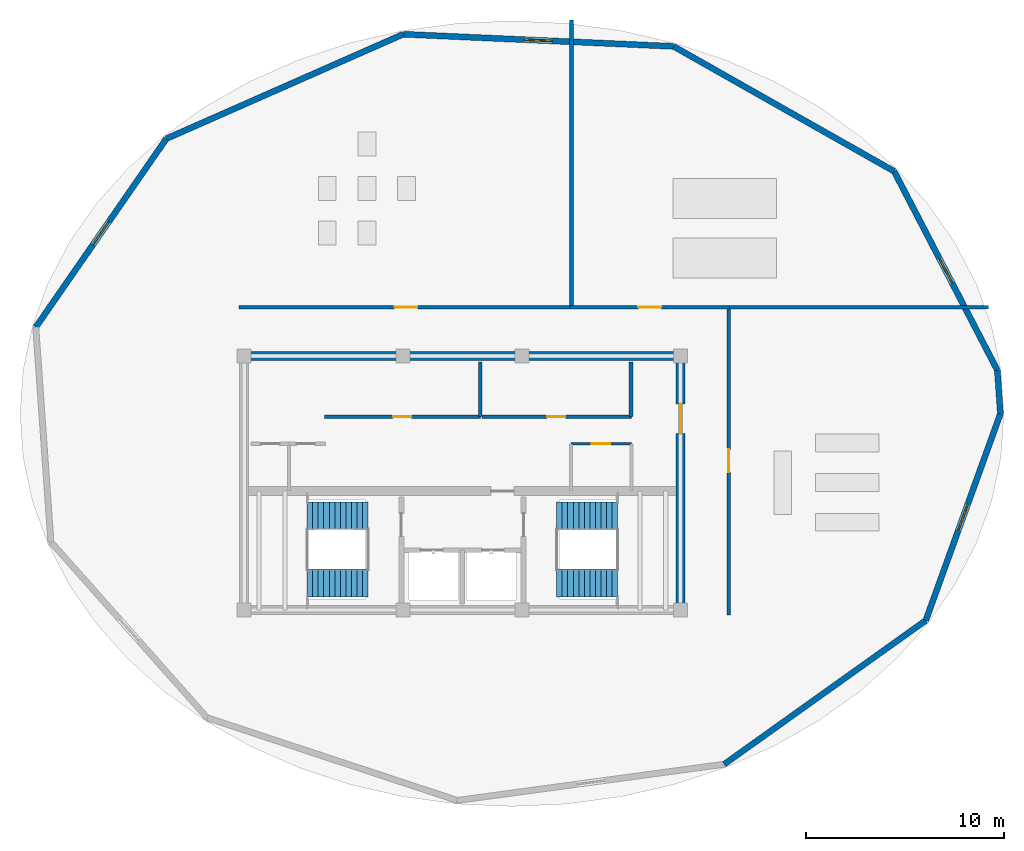
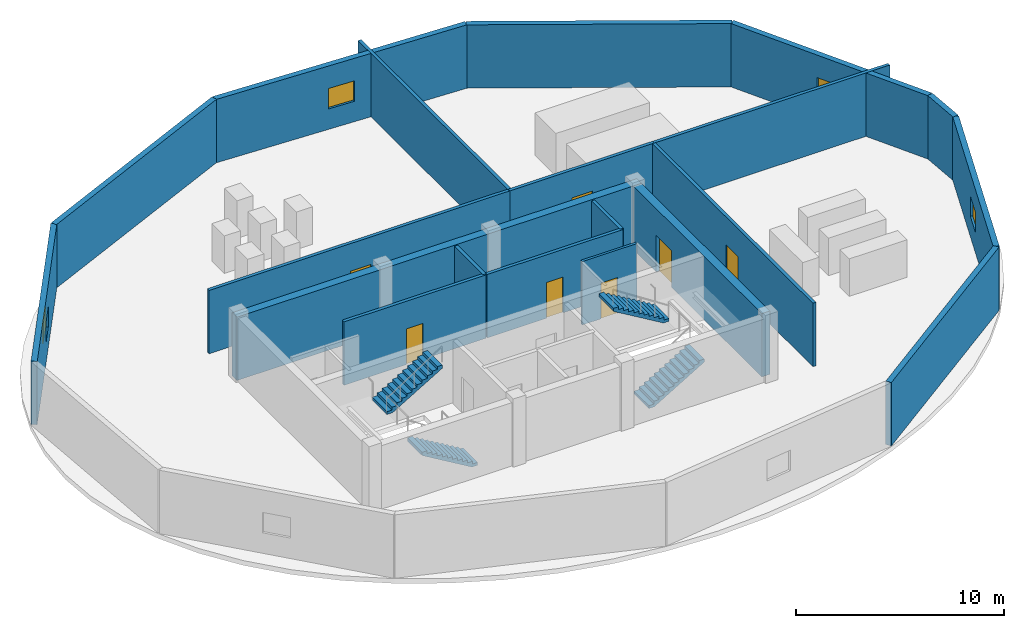
# One storey, part 2 of 5: 20 walls, 7 doors, 4 stair flights, 4 windows, 11 openings, 2 elements without a shape of their own.
"""IFC4 building model written with IfcOpenShell, lengths in metres."""

from ifc_helpers import new_model, si_unit, direction, frame, frame_2d, origin, place, context, subcontext, project, spatial, polyline, rectangle, outline, extrude, material, layer, layer_set, type_object, element, fill, aggregate, save


model = new_model("IFC4")

# Units and contexts
model_context = context("Model", 3, precision=1e-05, world=origin(), true_north=direction((0.0, 1.0)))
body_context = subcontext(model_context, "Body", "Model", "MODEL_VIEW")
ifc_project = project(units=[si_unit("LENGTHUNIT", "METRE"), si_unit("AREAUNIT", "SQUARE_METRE"), si_unit("VOLUMEUNIT", "CUBIC_METRE"), si_unit("PLANEANGLEUNIT", "RADIAN"), si_unit("MASSUNIT", "GRAM", prefix="KILO")], contexts=[model_context])

# Site, building, storey
site_placement = place(None, origin())
site = spatial("IfcSite", under=ifc_project, at=site_placement, CompositionType="ELEMENT")
building_placement = place(site_placement, origin())
building = spatial("IfcBuilding", under=site, at=building_placement, Name="Kazevale Care Tower and Concert Hall", CompositionType="ELEMENT")
storey_placement = place(building_placement, frame((0.0, 0.0, 304.800048828125)))
storey = spatial("IfcBuildingStorey", under=building, at=storey_placement, Name="L80", CompositionType="ELEMENT", Elevation=304.800048828125)

# Wall, opening, door
ifc_material_1 = material(Name="Acoustic Gypsum on Steel Stud", Category="steel")
ifc_layer_1 = layer(ifc_material_1, 0.139892578125)
ifc_layer_set_1 = layer_set([ifc_layer_1], Name="Acoustic Gypsum on Steel Stud")
wall_type_1 = type_object("IfcWallType", Name="Acoustic Care & Suite Partition 140", PredefinedType="PARTITIONING", material=ifc_layer_set_1)
wall_1_placement = place(storey_placement, frame((38.47998046875, 31.97998046875, 0.0), z_axis=(0.0, 0.0, 1.0), x_axis=(1.0, 0.0, 0.0)))
wall_1 = element("IfcWall", 1, at=wall_1_placement, inside=storey, type_object=wall_type_1, Name="wall:L80:kb_en", PredefinedType="PARTITIONING", context=body_context, shape_type="SweptSolid", body=[
    extrude(rectangle(XDim=3.0400390625, YDim=0.139892578125, at=frame_2d((1.52001953125, 0.0))), origin(), (0.0, 0.0, 1.0), 3.719970703125),
])
opening_1_placement = place(wall_1_placement, frame((1.044921875, 0.0, 0.0)))
opening_1 = element("IfcOpeningElement", 2, at=opening_1_placement, cuts=wall_1, Name="Opening ID-900", PredefinedType="OPENING", context=body_context, shape_type="SweptSolid", body=[
    extrude(rectangle(XDim=0.919921875, YDim=2.10009765625, at=frame_2d((0.4599609375, 1.050048828125))), frame((0.0, 0.079833984375, 0.0), z_axis=(0.0, -1.0, 0.0), x_axis=(1.0, 0.0, 0.0)), (0.0, 0.0, 1.0), 0.159912109375),
])
ifc_material_2 = material(Name="Oak Timber Fire Leaf", Category="wood")
door_type_1 = type_object("IfcDoorType", Name="Bathroom & Service Door 920x2100", OperationType="NOTDEFINED", PredefinedType="DOOR", material=ifc_material_2)
door_1_placement = place(opening_1_placement, origin())
door_1 = element("IfcDoor", 3, at=door_1_placement, inside=storey, type_object=door_type_1, Name="door:L80:d_kbe", OperationType="SINGLE_SWING_LEFT", OverallHeight=2.10009765625, OverallWidth=0.919921875, PredefinedType="DOOR", context=body_context, shape_type="SweptSolid", body=[
    extrude(rectangle(XDim=0.919921875, YDim=2.10009765625, at=frame_2d((0.4599609375, 1.050048828125))), frame((0.0, 0.02490234375, 0.0), z_axis=(0.0, -1.0, 0.0), x_axis=(1.0, 0.0, 0.0)), (0.0, 0.0, 1.0), 0.050048828125),
])
fill(opening_1, door_1)

# Wall
ifc_material_3 = material(Name="Concrete C50", Category="concrete")
ifc_layer_2 = layer(ifc_material_3, 0.449951171875)
ifc_layer_set_2 = layer_set([ifc_layer_2], Name="Concrete C50")
wall_type_2 = type_object("IfcWallType", Name="Core Shear Wall 450 C50", PredefinedType="SHEAR", material=ifc_layer_set_2)
wall_2_placement = place(storey_placement, frame((21.77490234375, 36.39990234375, 0.0), z_axis=(0.0, 0.0, 1.0), x_axis=(1.0, 0.0, 0.0)))
element("IfcWall", 4, at=wall_2_placement, inside=storey, type_object=wall_type_2, Name="wall:L80:core:N", PredefinedType="SHEAR", context=body_context, shape_type="SweptSolid", body=[
    extrude(rectangle(XDim=22.4501953125, YDim=0.449951171875, at=frame_2d((11.22509765625, 0.0))), origin(), (0.0, 0.0, 1.0), 3.719970703125),
])

# Wall, opening, door
wall_3_placement = place(storey_placement, frame((44.0, 23.824951171875, 0.0), z_axis=(0.0, 0.0, 1.0), x_axis=(0.0, 1.0, 0.0)))
wall_3 = element("IfcWall", 5, at=wall_3_placement, inside=storey, type_object=wall_type_2, Name="wall:L80:core:E", PredefinedType="SHEAR", context=body_context, shape_type="SweptSolid", body=[
    extrude(rectangle(XDim=12.35009765625, YDim=0.449951171875, at=frame_2d((6.175048828125, 0.0))), origin(), (0.0, 0.0, 1.0), 3.719970703125),
])
opening_2_placement = place(wall_3_placement, frame((8.675048828125, 0.0, 0.0)))
opening_2 = element("IfcOpeningElement", 6, at=opening_2_placement, cuts=wall_3, Name="Opening FD-60D", PredefinedType="OPENING", context=body_context, shape_type="SweptSolid", body=[
    extrude(rectangle(XDim=1.5, YDim=2.14990234375, at=frame_2d((0.75, 1.074951171875))), frame((0.0, 0.23486328125, 0.0), z_axis=(0.0, -1.0, 0.0), x_axis=(1.0, 0.0, 0.0)), (0.0, 0.0, 1.0), 0.469970703125),
])
door_type_2 = type_object("IfcDoorType", Name="Double Lobby & Auditorium Fire Door 1500x2150", OperationType="NOTDEFINED", PredefinedType="DOOR", material=ifc_material_2)
door_2_placement = place(opening_2_placement, origin())
door_2 = element("IfcDoor", 7, at=door_2_placement, inside=storey, type_object=door_type_2, Name="door:L80:core_east_out", OperationType="DOUBLE_DOOR_SINGLE_SWING", OverallHeight=2.14990234375, OverallWidth=1.5, PredefinedType="DOOR", context=body_context, shape_type="SweptSolid", body=[
    extrude(rectangle(XDim=1.5, YDim=2.14990234375, at=frame_2d((0.75, 1.074951171875))), frame((0.0, 0.02490234375, 0.0), z_axis=(0.0, -1.0, 0.0), x_axis=(1.0, 0.0, 0.0)), (0.0, 0.0, 1.0), 0.050048828125),
])
fill(opening_2, door_2)

# Wall, opening, window
ifc_material_4 = material(Name="Concrete C40 with Honed Limestone Cladding", Category="masonry")
ifc_layer_3 = layer(ifc_material_4, 0.300048828125)
ifc_layer_set_3 = layer_set([ifc_layer_3], Name="Concrete C40 with Honed Limestone Cladding")
wall_type_3 = type_object("IfcWallType", Name="Crown Drum Louvred Stone Wall 300", PredefinedType="STANDARD", material=ifc_layer_set_3)
wall_4_placement = place(storey_placement, frame((60.1201171875, 33.5, 0.0), z_axis=(0.0, 0.0, 1.0), x_axis=(-0.339587618367, -0.940574425259, 0.0)))
wall_4 = element("IfcWall", 8, at=wall_4_placement, inside=storey, type_object=wall_type_3, Name="wall:L80:drum:01", PredefinedType="STANDARD", context=body_context, shape_type="SweptSolid", body=[
    extrude(rectangle(XDim=11.08154296875, YDim=0.300048828125, at=frame_2d((5.540771484375, 0.0))), origin(), (0.0, 0.0, 1.0), 3.719970703125),
])
opening_3_placement = place(wall_4_placement, frame((4.841064453125, 0.0, 1.199951171875)))
opening_3 = element("IfcOpeningElement", 9, at=opening_3_placement, cuts=wall_4, Name="Opening WIN-4", PredefinedType="OPENING", context=body_context, shape_type="SweptSolid", body=[
    extrude(rectangle(XDim=1.39990234375, YDim=1.199951171875, at=frame_2d((0.699951171875, 0.60009765625))), frame((0.0, 0.159912109375, 0.0), z_axis=(0.0, -1.0, 0.0), x_axis=(1.0, 0.0, 0.0)), (0.0, 0.0, 1.0), 0.320068359375),
])
ifc_material_5 = material(Name="Aluminium 6063-T6", Category="aluminium")
window_type = type_object("IfcWindowType", Name="Crown Plant Louvred Window 1400x1200", PartitioningType="SINGLE_PANEL", PredefinedType="WINDOW", material=ifc_material_5)
window_1_placement = place(opening_3_placement, origin())
window_1 = element("IfcWindow", 10, at=window_1_placement, inside=storey, type_object=window_type, Name="win:L80:drum:01", OverallHeight=1.199951171875, OverallWidth=1.39990234375, PartitioningType="SINGLE_PANEL", PredefinedType="WINDOW", context=body_context, shape_type="SweptSolid", body=[
    extrude(rectangle(XDim=1.39990234375, YDim=1.199951171875, at=frame_2d((0.699951171875, 0.60009765625))), frame((0.0, 0.030029296875, 0.0), z_axis=(0.0, -1.0, 0.0), x_axis=(1.0, 0.0, 0.0)), (0.0, 0.0, 1.0), 0.06005859375),
])
fill(opening_3, window_1)

# Wall
wall_5_placement = place(storey_placement, frame((56.35693359375, 23.076904296875, 0.0), z_axis=(0.0, 0.0, 1.0), x_axis=(-0.814111303181, -0.580708865123, 0.0)))
element("IfcWall", 11, at=wall_5_placement, inside=storey, type_object=wall_type_3, Name="wall:L80:drum:02", PredefinedType="STANDARD", context=body_context, shape_type="SweptSolid", body=[
    extrude(rectangle(XDim=12.48095703125, YDim=0.300048828125, at=frame_2d((6.240478515625, 0.0))), origin(), (0.0, 0.0, 1.0), 3.719970703125),
])

# Wall, opening, window
wall_6_placement = place(storey_placement, frame((11.4951171875, 37.85595703125, 0.0), z_axis=(0.0, 0.0, 1.0), x_axis=(0.569269280193, 0.822151133691, 0.0)))
wall_6 = element("IfcWall", 12, at=wall_6_placement, inside=storey, type_object=wall_type_3, Name="wall:L80:drum:07", PredefinedType="STANDARD", context=body_context, shape_type="SweptSolid", body=[
    extrude(rectangle(XDim=11.56005859375, YDim=0.300048828125, at=frame_2d((5.780029296875, 0.0))), origin(), (0.0, 0.0, 1.0), 3.719970703125),
])
opening_4_placement = place(wall_6_placement, frame((5.080078125, 0.0, 1.199951171875)))
opening_4 = element("IfcOpeningElement", 13, at=opening_4_placement, cuts=wall_6, Name="Opening WIN-4", PredefinedType="OPENING", context=body_context, shape_type="SweptSolid", body=[
    extrude(rectangle(XDim=1.39990234375, YDim=1.199951171875, at=frame_2d((0.699951171875, 0.60009765625))), frame((0.0, 0.159912109375, 0.0), z_axis=(0.0, -1.0, 0.0), x_axis=(1.0, 0.0, 0.0)), (0.0, 0.0, 1.0), 0.320068359375),
])
window_2_placement = place(opening_4_placement, origin())
window_2 = element("IfcWindow", 14, at=window_2_placement, inside=storey, type_object=window_type, Name="win:L80:drum:07", OverallHeight=1.199951171875, OverallWidth=1.39990234375, PartitioningType="SINGLE_PANEL", PredefinedType="WINDOW", context=body_context, shape_type="SweptSolid", body=[
    extrude(rectangle(XDim=1.39990234375, YDim=1.199951171875, at=frame_2d((0.699951171875, 0.60009765625))), frame((0.0, 0.030029296875, 0.0), z_axis=(0.0, -1.0, 0.0), x_axis=(1.0, 0.0, 0.0)), (0.0, 0.0, 1.0), 0.06005859375),
])
fill(opening_4, window_2)

# Wall
wall_7_placement = place(storey_placement, frame((18.075927734375, 47.360107421875, 0.0), z_axis=(0.0, 0.0, 1.0), x_axis=(0.914943001047, 0.40358308294, 0.0)))
element("IfcWall", 15, at=wall_7_placement, inside=storey, type_object=wall_type_3, Name="wall:L80:drum:08", PredefinedType="STANDARD", context=body_context, shape_type="SweptSolid", body=[
    extrude(rectangle(XDim=13.0478515625, YDim=0.300048828125, at=frame_2d((6.52392578125, 0.0))), origin(), (0.0, 0.0, 1.0), 3.719970703125),
])

# Wall, opening, window
wall_8_placement = place(storey_placement, frame((30.013916015625, 52.6259765625, 0.0), z_axis=(0.0, 0.0, 1.0), x_axis=(0.998996211569, -0.04479474602, 0.0)))
wall_8 = element("IfcWall", 16, at=wall_8_placement, inside=storey, type_object=wall_type_3, Name="wall:L80:drum:09", PredefinedType="STANDARD", context=body_context, shape_type="SweptSolid", body=[
    extrude(rectangle(XDim=13.641845703125, YDim=0.300048828125, at=frame_2d((6.82080078125, 0.0))), origin(), (0.0, 0.0, 1.0), 3.719970703125),
])
opening_5_placement = place(wall_8_placement, frame((6.12109375, 0.0, 1.199951171875)))
opening_5 = element("IfcOpeningElement", 17, at=opening_5_placement, cuts=wall_8, Name="Opening WIN-4", PredefinedType="OPENING", context=body_context, shape_type="SweptSolid", body=[
    extrude(rectangle(XDim=1.39990234375, YDim=1.199951171875, at=frame_2d((0.699951171875, 0.60009765625))), frame((0.0, 0.159912109375, 0.0), z_axis=(0.0, -1.0, 0.0), x_axis=(1.0, 0.0, 0.0)), (0.0, 0.0, 1.0), 0.320068359375),
])
window_3_placement = place(opening_5_placement, origin())
window_3 = element("IfcWindow", 18, at=window_3_placement, inside=storey, type_object=window_type, Name="win:L80:drum:09", OverallHeight=1.199951171875, OverallWidth=1.39990234375, PartitioningType="SINGLE_PANEL", PredefinedType="WINDOW", context=body_context, shape_type="SweptSolid", body=[
    extrude(rectangle(XDim=1.39990234375, YDim=1.199951171875, at=frame_2d((0.699951171875, 0.60009765625))), frame((0.0, 0.030029296875, 0.0), z_axis=(0.0, -1.0, 0.0), x_axis=(1.0, 0.0, 0.0)), (0.0, 0.0, 1.0), 0.06005859375),
])
fill(opening_5, window_3)

# Wall
wall_9_placement = place(storey_placement, frame((43.64208984375, 52.014892578125, 0.0), z_axis=(0.0, 0.0, 1.0), x_axis=(0.870169378253, -0.492752730232, 0.0)))
element("IfcWall", 19, at=wall_9_placement, inside=storey, type_object=wall_type_3, Name="wall:L80:drum:10", PredefinedType="STANDARD", context=body_context, shape_type="SweptSolid", body=[
    extrude(rectangle(XDim=12.779052734375, YDim=0.300048828125, at=frame_2d((6.3896484375, 0.0))), origin(), (0.0, 0.0, 1.0), 3.719970703125),
])

# Wall, opening, window
wall_10_placement = place(storey_placement, frame((54.761962890625, 45.718017578125, 0.0), z_axis=(0.0, 0.0, 1.0), x_axis=(0.460623742834, -0.8875954977, 0.0)))
wall_10 = element("IfcWall", 20, at=wall_10_placement, inside=storey, type_object=wall_type_3, Name="wall:L80:drum:11", PredefinedType="STANDARD", context=body_context, shape_type="SweptSolid", body=[
    extrude(rectangle(XDim=11.2958984375, YDim=0.300048828125, at=frame_2d((5.64794921875, 0.0))), origin(), (0.0, 0.0, 1.0), 3.719970703125),
])
opening_6_placement = place(wall_10_placement, frame((4.947998046875, 0.0, 1.199951171875)))
opening_6 = element("IfcOpeningElement", 21, at=opening_6_placement, cuts=wall_10, Name="Opening WIN-4", PredefinedType="OPENING", context=body_context, shape_type="SweptSolid", body=[
    extrude(rectangle(XDim=1.39990234375, YDim=1.199951171875, at=frame_2d((0.699951171875, 0.60009765625))), frame((0.0, 0.159912109375, 0.0), z_axis=(0.0, -1.0, 0.0), x_axis=(1.0, 0.0, 0.0)), (0.0, 0.0, 1.0), 0.320068359375),
])
window_4_placement = place(opening_6_placement, origin())
window_4 = element("IfcWindow", 22, at=window_4_placement, inside=storey, type_object=window_type, Name="win:L80:drum:11", OverallHeight=1.199951171875, OverallWidth=1.39990234375, PartitioningType="SINGLE_PANEL", PredefinedType="WINDOW", context=body_context, shape_type="SweptSolid", body=[
    extrude(rectangle(XDim=1.39990234375, YDim=1.199951171875, at=frame_2d((0.699951171875, 0.60009765625))), frame((0.0, 0.030029296875, 0.0), z_axis=(0.0, -1.0, 0.0), x_axis=(1.0, 0.0, 0.0)), (0.0, 0.0, 1.0), 0.06005859375),
])
fill(opening_6, window_4)

# Wall
wall_11_placement = place(storey_placement, frame((59.965087890625, 35.69189453125, 0.0), z_axis=(0.0, 0.0, 1.0), x_axis=(0.070552198309, -0.997508088846, 0.0)))
element("IfcWall", 23, at=wall_11_placement, inside=storey, type_object=wall_type_3, Name="wall:L80:drum:12", PredefinedType="STANDARD", context=body_context, shape_type="SweptSolid", body=[
    extrude(rectangle(XDim=2.197265625, YDim=0.300048828125, at=frame_2d((1.0986328125, 0.0))), origin(), (0.0, 0.0, 1.0), 3.719970703125),
])

# Wall, opening, door
ifc_material_6 = material(Name="Concrete C40 and Acoustic Gypsum", Category="concrete")
ifc_layer_4 = layer(ifc_material_6, 0.179931640625)
ifc_layer_set_4 = layer_set([ifc_layer_4], Name="Concrete C40 and Acoustic Gypsum")
wall_type_4 = type_object("IfcWallType", Name="Fire-Rated Corridor & Party Wall 180", PredefinedType="PARTITIONING", material=ifc_layer_set_4)
wall_12_placement = place(storey_placement, frame((26.050048828125, 33.35009765625, 0.0), z_axis=(0.0, 0.0, 1.0), x_axis=(1.0, 0.0, 0.0)))
wall_12 = element("IfcWall", 24, at=wall_12_placement, inside=storey, type_object=wall_type_4, Name="wall:L80:c_cps_s", PredefinedType="PARTITIONING", context=body_context, shape_type="SweptSolid", body=[
    extrude(rectangle(XDim=7.869873046875, YDim=0.179931640625, at=frame_2d((3.93505859375, 0.0))), origin(), (0.0, 0.0, 1.0), 3.719970703125),
])
opening_7_placement = place(wall_12_placement, frame((3.4599609375, 0.0, 0.0)))
opening_7 = element("IfcOpeningElement", 25, at=opening_7_placement, cuts=wall_12, Name="Opening ID-900", PredefinedType="OPENING", context=body_context, shape_type="SweptSolid", body=[
    extrude(rectangle(XDim=0.919921875, YDim=2.10009765625, at=frame_2d((0.4599609375, 1.050048828125))), frame((0.0, 0.099853515625, 0.0), z_axis=(0.0, -1.0, 0.0), x_axis=(1.0, 0.0, 0.0)), (0.0, 0.0, 1.0), 0.199951171875),
])
door_3_placement = place(opening_7_placement, origin())
door_3 = element("IfcDoor", 26, at=door_3_placement, inside=storey, type_object=door_type_1, Name="door:L80:d_cps", OperationType="SINGLE_SWING_LEFT", OverallHeight=2.10009765625, OverallWidth=0.919921875, PredefinedType="DOOR", context=body_context, shape_type="SweptSolid", body=[
    extrude(rectangle(XDim=0.919921875, YDim=2.10009765625, at=frame_2d((0.4599609375, 1.050048828125))), frame((0.0, 0.02490234375, 0.0), z_axis=(0.0, -1.0, 0.0), x_axis=(1.0, 0.0, 0.0)), (0.0, 0.0, 1.0), 0.050048828125),
])
fill(opening_7, door_3)

# Wall
wall_13_placement = place(storey_placement, frame((33.89990234375, 33.35009765625, 0.0), z_axis=(0.0, 0.0, 1.0), x_axis=(0.0, 1.0, 0.0)))
element("IfcWall", 27, at=wall_13_placement, inside=storey, type_object=wall_type_4, Name="wall:L80:c_cps_e", PredefinedType="PARTITIONING", context=body_context, shape_type="SweptSolid", body=[
    extrude(rectangle(XDim=2.75, YDim=0.179931640625, at=frame_2d((1.375, 0.0))), origin(), (0.0, 0.0, 1.0), 3.719970703125),
])

# Wall, opening, door
wall_14_placement = place(storey_placement, frame((33.97998046875, 33.35009765625, 0.0), z_axis=(0.0, 0.0, 1.0), x_axis=(1.0, 0.0, 0.0)))
wall_14 = element("IfcWall", 28, at=wall_14_placement, inside=storey, type_object=wall_type_4, Name="wall:L80:c_pma_s", PredefinedType="PARTITIONING", context=body_context, shape_type="SweptSolid", body=[
    extrude(rectangle(XDim=7.5400390625, YDim=0.179931640625, at=frame_2d((3.77001953125, 0.0))), origin(), (0.0, 0.0, 1.0), 3.719970703125),
])
opening_8_placement = place(wall_14_placement, frame((3.294921875, 0.0, 0.0)))
opening_8 = element("IfcOpeningElement", 29, at=opening_8_placement, cuts=wall_14, Name="Opening ID-900", PredefinedType="OPENING", context=body_context, shape_type="SweptSolid", body=[
    extrude(rectangle(XDim=0.919921875, YDim=2.10009765625, at=frame_2d((0.4599609375, 1.050048828125))), frame((0.0, 0.099853515625, 0.0), z_axis=(0.0, -1.0, 0.0), x_axis=(1.0, 0.0, 0.0)), (0.0, 0.0, 1.0), 0.199951171875),
])
door_4_placement = place(opening_8_placement, origin())
door_4 = element("IfcDoor", 30, at=door_4_placement, inside=storey, type_object=door_type_1, Name="door:L80:d_pma", OperationType="SINGLE_SWING_LEFT", OverallHeight=2.10009765625, OverallWidth=0.919921875, PredefinedType="DOOR", context=body_context, shape_type="SweptSolid", body=[
    extrude(rectangle(XDim=0.919921875, YDim=2.10009765625, at=frame_2d((0.4599609375, 1.050048828125))), frame((0.0, 0.02490234375, 0.0), z_axis=(0.0, -1.0, 0.0), x_axis=(1.0, 0.0, 0.0)), (0.0, 0.0, 1.0), 0.050048828125),
])
fill(opening_8, door_4)

# Wall
wall_15_placement = place(storey_placement, frame((41.5, 33.35009765625, 0.0), z_axis=(0.0, 0.0, 1.0), x_axis=(0.0, 1.0, 0.0)))
element("IfcWall", 31, at=wall_15_placement, inside=storey, type_object=wall_type_4, Name="wall:L80:c_pma_e", PredefinedType="PARTITIONING", context=body_context, shape_type="SweptSolid", body=[
    extrude(rectangle(XDim=2.75, YDim=0.179931640625, at=frame_2d((1.375, 0.0))), origin(), (0.0, 0.0, 1.0), 3.719970703125),
])

# Wall, opening, door
wall_16_placement = place(storey_placement, frame((21.7451171875, 38.875, 0.0), z_axis=(0.0, 0.0, 1.0), x_axis=(1.0, 0.0, 0.0)))
wall_16 = element("IfcWall", 32, at=wall_16_placement, inside=storey, type_object=wall_type_4, Name="wall:L80:auto_001", PredefinedType="PARTITIONING", context=body_context, shape_type="SweptSolid", body=[
    extrude(rectangle(XDim=16.81982421875, YDim=0.179931640625, at=frame_2d((8.409912109375, 0.0))), origin(), (0.0, 0.0, 1.0), 3.719970703125),
])
opening_9_placement = place(wall_16_placement, frame((7.8349609375, 0.0, 0.0)))
opening_9 = element("IfcOpeningElement", 33, at=opening_9_placement, cuts=wall_16, Name="Opening FD-90", PredefinedType="OPENING", context=body_context, shape_type="SweptSolid", body=[
    extrude(rectangle(XDim=1.14990234375, YDim=2.10009765625, at=frame_2d((0.574951171875, 1.050048828125))), frame((0.0, 0.099853515625, 0.0), z_axis=(0.0, -1.0, 0.0), x_axis=(1.0, 0.0, 0.0)), (0.0, 0.0, 1.0), 0.199951171875),
])
ifc_material_7 = material(Name="Steel ASTM A572 Gr 50", Category="steel")
door_type_3 = type_object("IfcDoorType", Name="Pressurized Stair & Lobby Fire Door 1150x2100", OperationType="NOTDEFINED", PredefinedType="DOOR", material=ifc_material_7)
door_5_placement = place(opening_9_placement, origin())
door_5 = element("IfcDoor", 34, at=door_5_placement, inside=storey, type_object=door_type_3, Name="door:L80:ad_001", OperationType="SINGLE_SWING_LEFT", OverallHeight=2.10009765625, OverallWidth=1.14990234375, PredefinedType="DOOR", context=body_context, shape_type="SweptSolid", body=[
    extrude(rectangle(XDim=1.14990234375, YDim=2.10009765625, at=frame_2d((0.574951171875, 1.050048828125))), frame((0.0, 0.02490234375, 0.0), z_axis=(0.0, -1.0, 0.0), x_axis=(1.0, 0.0, 0.0)), (0.0, 0.0, 1.0), 0.050048828125),
])
fill(opening_9, door_5)

wall_17_placement = place(storey_placement, frame((38.43505859375, 38.875, 0.0), z_axis=(0.0, 0.0, 1.0), x_axis=(1.0, 0.0, 0.0)))
wall_17 = element("IfcWall", 35, at=wall_17_placement, inside=storey, type_object=wall_type_4, Name="wall:L80:auto_002", PredefinedType="PARTITIONING", context=body_context, shape_type="SweptSolid", body=[
    extrude(rectangle(XDim=8.02001953125, YDim=0.179931640625, at=frame_2d((4.010009765625, 0.0))), origin(), (0.0, 0.0, 1.0), 3.719970703125),
])
opening_10_placement = place(wall_17_placement, frame((3.43505859375, 0.0, 0.0)))
opening_10 = element("IfcOpeningElement", 36, at=opening_10_placement, cuts=wall_17, Name="Opening FD-90", PredefinedType="OPENING", context=body_context, shape_type="SweptSolid", body=[
    extrude(rectangle(XDim=1.14990234375, YDim=2.10009765625, at=frame_2d((0.574951171875, 1.050048828125))), frame((0.0, 0.099853515625, 0.0), z_axis=(0.0, -1.0, 0.0), x_axis=(1.0, 0.0, 0.0)), (0.0, 0.0, 1.0), 0.199951171875),
])
door_6_placement = place(opening_10_placement, origin())
door_6 = element("IfcDoor", 37, at=door_6_placement, inside=storey, type_object=door_type_3, Name="door:L80:ad_002", OperationType="SINGLE_SWING_LEFT", OverallHeight=2.10009765625, OverallWidth=1.14990234375, PredefinedType="DOOR", context=body_context, shape_type="SweptSolid", body=[
    extrude(rectangle(XDim=1.14990234375, YDim=2.10009765625, at=frame_2d((0.574951171875, 1.050048828125))), frame((0.0, 0.02490234375, 0.0), z_axis=(0.0, -1.0, 0.0), x_axis=(1.0, 0.0, 0.0)), (0.0, 0.0, 1.0), 0.050048828125),
])
fill(opening_10, door_6)

wall_18_placement = place(storey_placement, frame((46.425048828125, 38.905029296875, 0.0), z_axis=(0.0, 0.0, 1.0), x_axis=(0.0, -1.0, 0.0)))
wall_18 = element("IfcWall", 38, at=wall_18_placement, inside=storey, type_object=wall_type_4, Name="wall:L80:auto_003", PredefinedType="PARTITIONING", context=body_context, shape_type="SweptSolid", body=[
    extrude(rectangle(XDim=15.56005859375, YDim=0.179931640625, at=frame_2d((7.780029296875, 0.0))), origin(), (0.0, 0.0, 1.0), 3.719970703125),
])
opening_11_placement = place(wall_18_placement, frame((7.205078125, 0.0, 0.0)))
opening_11 = element("IfcOpeningElement", 39, at=opening_11_placement, cuts=wall_18, Name="Opening FD-90", PredefinedType="OPENING", context=body_context, shape_type="SweptSolid", body=[
    extrude(rectangle(XDim=1.14990234375, YDim=2.10009765625, at=frame_2d((0.574951171875, 1.050048828125))), frame((0.0, 0.099853515625, 0.0), z_axis=(0.0, -1.0, 0.0), x_axis=(1.0, 0.0, 0.0)), (0.0, 0.0, 1.0), 0.199951171875),
])
door_7_placement = place(opening_11_placement, origin())
door_7 = element("IfcDoor", 40, at=door_7_placement, inside=storey, type_object=door_type_3, Name="door:L80:ad_003", OperationType="SINGLE_SWING_LEFT", OverallHeight=2.10009765625, OverallWidth=1.14990234375, PredefinedType="DOOR", context=body_context, shape_type="SweptSolid", body=[
    extrude(rectangle(XDim=1.14990234375, YDim=2.10009765625, at=frame_2d((0.574951171875, 1.050048828125))), frame((0.0, 0.02490234375, 0.0), z_axis=(0.0, -1.0, 0.0), x_axis=(1.0, 0.0, 0.0)), (0.0, 0.0, 1.0), 0.050048828125),
])
fill(opening_11, door_7)

# Walls
wall_19_placement = place(storey_placement, frame((38.5, 53.343994140625, 0.0), z_axis=(0.0, 0.0, 1.0), x_axis=(0.0, -1.0, 0.0)))
element("IfcWall", 41, at=wall_19_placement, inside=storey, type_object=wall_type_4, Name="wall:L80:auto_004", PredefinedType="PARTITIONING", context=body_context, shape_type="SweptSolid", body=[
    extrude(rectangle(XDim=14.4990234375, YDim=0.179931640625, at=frame_2d((7.24951171875, 0.0))), origin(), (0.0, 0.0, 1.0), 3.719970703125),
])
wall_20_placement = place(storey_placement, frame((59.51708984375, 38.875, 0.0), z_axis=(0.0, 0.0, 1.0), x_axis=(-1.0, 0.0, 0.0)))
element("IfcWall", 42, at=wall_20_placement, inside=storey, type_object=wall_type_4, Name="wall:L80:auto_005", PredefinedType="PARTITIONING", context=body_context, shape_type="SweptSolid", body=[
    extrude(rectangle(XDim=13.156982421875, YDim=0.179931640625, at=frame_2d((6.57861328125, 0.0))), origin(), (0.0, 0.0, 1.0), 3.719970703125),
])

# Stair, stair flights
ifc_material_8 = material(Name="Concrete C40", Category="concrete")
stair_type = type_object("IfcStairType", Name="Exit Stair Assembly ST1-C", PredefinedType="HALF_TURN_STAIR", material=ifc_material_8)
stair_1_placement = place(storey_placement, origin())
stair_1 = element("IfcStair", 43, at=stair_1_placement, inside=storey, type_object=stair_type, Name="stair:L80:ST1", PredefinedType="HALF_TURN_STAIR")
ifc_layer_5 = layer(ifc_material_8, 0.159912109375)
ifc_layer_set_5 = layer_set([ifc_layer_5], Name="Concrete C40")
stair_flight_type = type_object("IfcStairFlightType", Name="Exit Stair Flight ST1-C", PredefinedType="STRAIGHT", material=ifc_layer_set_5)
stair_flight_1_placement = place(storey_placement, frame((28.25, 24.9599609375, 0.0), z_axis=(0.0, 0.0, 1.0), x_axis=(-1.0, 0.0, 0.0)))
stair_flight_1 = element("IfcStairFlight", 44, at=stair_flight_1_placement, type_object=stair_flight_type, Name="ST1-C flight 1", NumberOfRisers=12, NumberOfTreads=11, PredefinedType="STRAIGHT", RiserHeight=0.166667, TreadLength=0.28, context=body_context, shape_type="SweptSolid", body=[
    extrude(outline(polyline([(0.0, 0.0), (0.0, 0.166748046875), (0.280029296875, 0.166748046875), (0.280029296875, 0.333251953125), (0.56005859375, 0.333251953125), (0.56005859375, 0.5), (0.840087890625, 0.5), (0.840087890625, 0.666748046875), (1.1201171875, 0.666748046875), (1.1201171875, 0.833251953125), (1.39990234375, 0.833251953125), (1.39990234375, 1.0), (1.679931640625, 1.0), (1.679931640625, 1.166748046875), (1.9599609375, 1.166748046875), (1.9599609375, 1.333251953125), (2.239990234375, 1.333251953125), (2.239990234375, 1.5), (2.52001953125, 1.5), (2.52001953125, 1.666748046875), (2.800048828125, 1.666748046875), (2.800048828125, 1.833251953125), (3.080078125, 1.833251953125), (3.080078125, 2.0), (3.080078125, 1.647216796875), (0.312744140625, 0.0), (0.0, 0.0)])), frame((0.0, 0.7099609375, 0.0), z_axis=(0.0, -1.0, 0.0), x_axis=(1.0, 0.0, 0.0)), (0.0, 0.0, 1.0), 1.419921875),
])
stair_flight_2_placement = place(storey_placement, frame((25.169921875, 28.340087890625, 2.0), z_axis=(0.0, 0.0, 1.0), x_axis=(1.0, 0.0, 0.0)))
stair_flight_2 = element("IfcStairFlight", 45, at=stair_flight_2_placement, type_object=stair_flight_type, Name="ST1-C flight 2", NumberOfRisers=12, NumberOfTreads=11, PredefinedType="STRAIGHT", RiserHeight=0.166667, TreadLength=0.28, context=body_context, shape_type="SweptSolid", body=[
    extrude(outline(polyline([(0.0, 0.0), (0.0, 0.166748046875), (0.280029296875, 0.166748046875), (0.280029296875, 0.333251953125), (0.56005859375, 0.333251953125), (0.56005859375, 0.5), (0.840087890625, 0.5), (0.840087890625, 0.666748046875), (1.1201171875, 0.666748046875), (1.1201171875, 0.833251953125), (1.39990234375, 0.833251953125), (1.39990234375, 1.0), (1.679931640625, 1.0), (1.679931640625, 1.166748046875), (1.9599609375, 1.166748046875), (1.9599609375, 1.333251953125), (2.239990234375, 1.333251953125), (2.239990234375, 1.5), (2.52001953125, 1.5), (2.52001953125, 1.666748046875), (2.800048828125, 1.666748046875), (2.800048828125, 1.833251953125), (3.080078125, 1.833251953125), (3.080078125, 2.0), (3.080078125, 1.647216796875), (0.312744140625, 0.0), (0.0, 0.0)])), frame((0.0, 0.7099609375, 0.0), z_axis=(0.0, -1.0, 0.0), x_axis=(1.0, 0.0, 0.0)), (0.0, 0.0, 1.0), 1.419921875),
])
aggregate(stair_1, [stair_flight_1, stair_flight_2])

stair_2_placement = place(storey_placement, origin())
stair_2 = element("IfcStair", 46, at=stair_2_placement, inside=storey, type_object=stair_type, Name="stair:L80:ST2", PredefinedType="HALF_TURN_STAIR")
stair_flight_3_placement = place(storey_placement, frame((37.75, 24.9599609375, 0.0), z_axis=(0.0, 0.0, 1.0), x_axis=(1.0, 0.0, 0.0)))
stair_flight_3 = element("IfcStairFlight", 47, at=stair_flight_3_placement, type_object=stair_flight_type, Name="ST1-C flight 1", NumberOfRisers=12, NumberOfTreads=11, PredefinedType="STRAIGHT", RiserHeight=0.166667, TreadLength=0.28, context=body_context, shape_type="SweptSolid", body=[
    extrude(outline(polyline([(0.0, 0.0), (0.0, 0.166748046875), (0.280029296875, 0.166748046875), (0.280029296875, 0.333251953125), (0.56005859375, 0.333251953125), (0.56005859375, 0.5), (0.840087890625, 0.5), (0.840087890625, 0.666748046875), (1.1201171875, 0.666748046875), (1.1201171875, 0.833251953125), (1.39990234375, 0.833251953125), (1.39990234375, 1.0), (1.679931640625, 1.0), (1.679931640625, 1.166748046875), (1.9599609375, 1.166748046875), (1.9599609375, 1.333251953125), (2.239990234375, 1.333251953125), (2.239990234375, 1.5), (2.52001953125, 1.5), (2.52001953125, 1.666748046875), (2.800048828125, 1.666748046875), (2.800048828125, 1.833251953125), (3.080078125, 1.833251953125), (3.080078125, 2.0), (3.080078125, 1.647216796875), (0.312744140625, 0.0), (0.0, 0.0)])), frame((0.0, 0.7099609375, 0.0), z_axis=(0.0, -1.0, 0.0), x_axis=(1.0, 0.0, 0.0)), (0.0, 0.0, 1.0), 1.419921875),
])
stair_flight_4_placement = place(storey_placement, frame((40.830078125, 28.340087890625, 2.0), z_axis=(0.0, 0.0, 1.0), x_axis=(-1.0, 0.0, 0.0)))
stair_flight_4 = element("IfcStairFlight", 48, at=stair_flight_4_placement, type_object=stair_flight_type, Name="ST1-C flight 2", NumberOfRisers=12, NumberOfTreads=11, PredefinedType="STRAIGHT", RiserHeight=0.166667, TreadLength=0.28, context=body_context, shape_type="SweptSolid", body=[
    extrude(outline(polyline([(0.0, 0.0), (0.0, 0.166748046875), (0.280029296875, 0.166748046875), (0.280029296875, 0.333251953125), (0.56005859375, 0.333251953125), (0.56005859375, 0.5), (0.840087890625, 0.5), (0.840087890625, 0.666748046875), (1.1201171875, 0.666748046875), (1.1201171875, 0.833251953125), (1.39990234375, 0.833251953125), (1.39990234375, 1.0), (1.679931640625, 1.0), (1.679931640625, 1.166748046875), (1.9599609375, 1.166748046875), (1.9599609375, 1.333251953125), (2.239990234375, 1.333251953125), (2.239990234375, 1.5), (2.52001953125, 1.5), (2.52001953125, 1.666748046875), (2.800048828125, 1.666748046875), (2.800048828125, 1.833251953125), (3.080078125, 1.833251953125), (3.080078125, 2.0), (3.080078125, 1.647216796875), (0.312744140625, 0.0), (0.0, 0.0)])), frame((0.0, 0.7099609375, 0.0), z_axis=(0.0, -1.0, 0.0), x_axis=(1.0, 0.0, 0.0)), (0.0, 0.0, 1.0), 1.419921875),
])
aggregate(stair_2, [stair_flight_3, stair_flight_4])

save(model, "model.ifc")
